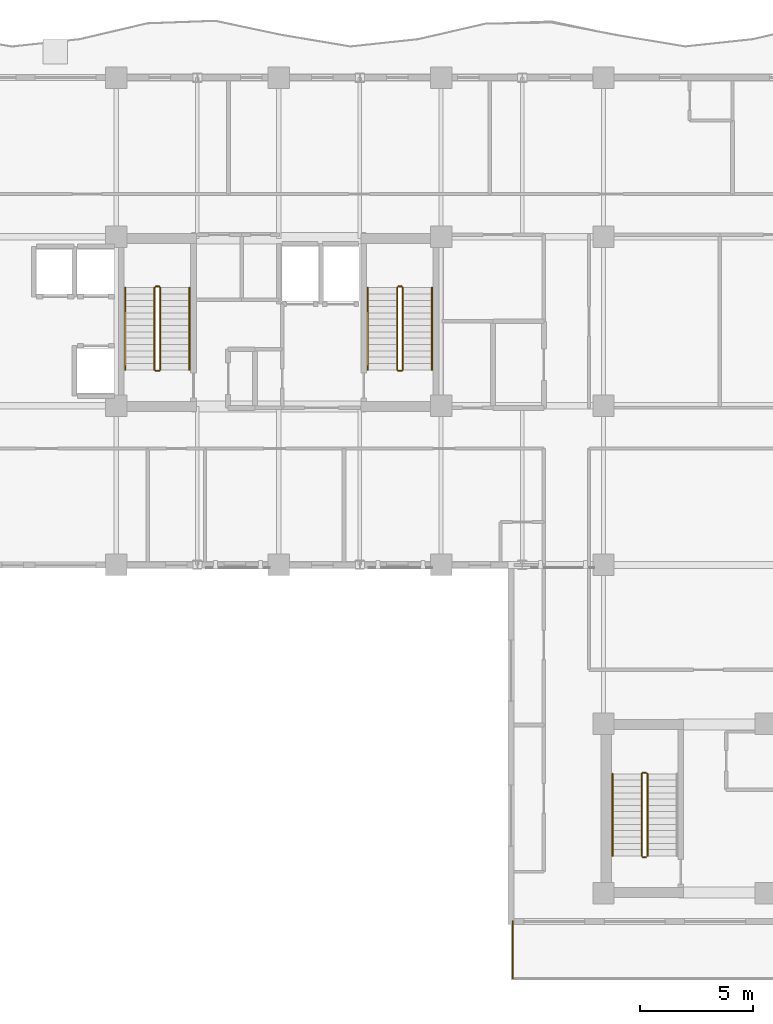
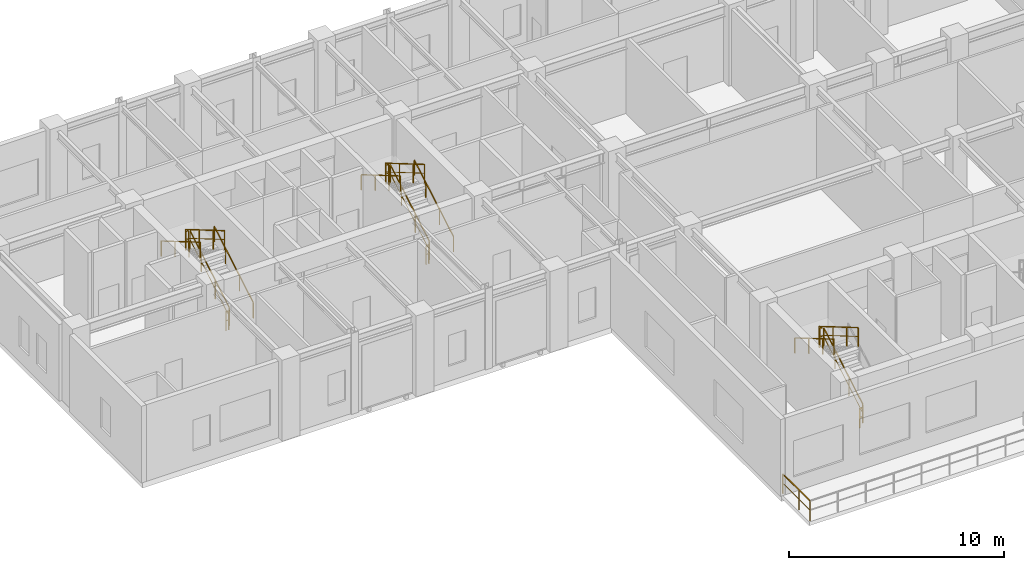
# One storey, part 12 of 14: 18 railings.
"""IFC4 building model written with IfcOpenShell, lengths in metres."""

from ifc_helpers import new_model, si_unit, direction, frame, origin, origin_2d, place, context, subcontext, project, spatial, rectangle, extrude, material, type_object, element, save


model = new_model("IFC4")

# Units and contexts
model_context = context("Model", 3, precision=1e-05, world=origin(), true_north=direction((0.0, 1.0)))
body_context = subcontext(model_context, "Body", "Model", "MODEL_VIEW")
ifc_project = project(units=[si_unit("LENGTHUNIT", "METRE"), si_unit("AREAUNIT", "SQUARE_METRE"), si_unit("VOLUMEUNIT", "CUBIC_METRE"), si_unit("PLANEANGLEUNIT", "RADIAN"), si_unit("MASSUNIT", "GRAM", prefix="KILO")], contexts=[model_context])

# Site, building, storey
site_placement = place(None, origin())
site = spatial("IfcSite", under=ifc_project, at=site_placement, CompositionType="ELEMENT")
building_placement = place(site_placement, origin())
building = spatial("IfcBuilding", under=site, at=building_placement, Name="Kaliganga Portal Commons", CompositionType="ELEMENT")
storey_placement = place(building_placement, frame((0.0, 0.0, 197.199951171875)))
storey = spatial("IfcBuildingStorey", under=building, at=storey_placement, Name="L50", CompositionType="ELEMENT", Elevation=197.199951171875)

# Railings
ifc_material_1 = material(Name="Laminated Safety Glass and Stainless Steel 316", Category="steel")
railing_type_1 = type_object("IfcRailingType", Name="RLG-BAL-1150", PredefinedType="BALUSTRADE", material=ifc_material_1)
railing_1_placement = place(storey_placement, frame((31.97998046875, 5.800048828125, 0.0)))
element("IfcRailing", 1, at=railing_1_placement, inside=storey, type_object=railing_type_1, Name="Terrace Guardrail L50 skygarden_l50-01-1", PredefinedType="BALUSTRADE", context=body_context, shape_type="SweptSolid", body=[
    extrude(rectangle(XDim=0.048095703125, YDim=0.048095703125, at=origin_2d()), frame((0.0, 0.0, 1.1259765625), z_axis=(0.0, -1.0, 0.0), x_axis=(1.0, 0.0, 0.0)), (0.0, 0.0, 1.0), 2.52001953125),
    extrude(rectangle(XDim=0.028076171875, YDim=0.028076171875, at=origin_2d()), frame((0.0, 0.0, 0.597900390625), z_axis=(0.0, -1.0, 0.0), x_axis=(1.0, 0.0, 0.0)), (0.0, 0.0, 1.0), 2.52001953125),
    extrude(rectangle(XDim=0.0419921875, YDim=0.0419921875, at=origin_2d()), origin(), (0.0, 0.0, 1.0), 1.101806640625),
    extrude(rectangle(XDim=0.0419921875, YDim=0.0419921875, at=origin_2d()), frame((0.0, -1.5, 0.0)), (0.0, 0.0, 1.0), 1.101806640625),
    extrude(rectangle(XDim=0.0419921875, YDim=0.0419921875, at=origin_2d()), frame((0.0, -2.52001953125, 0.0)), (0.0, 0.0, 1.0), 1.101806640625),
])
ifc_material_2 = material(Name="Galvanized Painted Steel Balustrade", Category="steel")
railing_type_2 = type_object("IfcRailingType", Name="RLG-STAIR-GRD", PredefinedType="GUARDRAIL", material=ifc_material_2)
railing_2_placement = place(storey_placement, frame((16.35009765625, 30.25, 0.164306640625)))
element("IfcRailing", 2, at=railing_2_placement, inside=storey, type_object=railing_type_2, Name="L50 ST-A1 stair guard 1", PredefinedType="GUARDRAIL", context=body_context, shape_type="SweptSolid", body=[
    extrude(rectangle(XDim=0.048095703125, YDim=0.048095703125, at=origin_2d()), frame((0.0, 0.0, 1.072265625), z_axis=(0.0, 0.862489892076, 0.506074289079), x_axis=(-1.0, 0.0, 0.0)), (0.0, 0.0, 1.0), 4.22021484375),
    extrude(rectangle(XDim=0.028076171875, YDim=0.028076171875, at=origin_2d()), frame((0.0, 0.0, 0.572021484375), z_axis=(0.0, 0.862489892076, 0.506074289079), x_axis=(-1.0, 0.0, 0.0)), (0.0, 0.0, 1.0), 4.22021484375),
    extrude(rectangle(XDim=0.0419921875, YDim=0.0419921875, at=origin_2d()), origin(), (0.0, 0.0, 1.0), 1.052001953125),
    extrude(rectangle(XDim=0.0419921875, YDim=0.0419921875, at=origin_2d()), frame((0.0, 1.293701171875, 0.759033203125)), (0.0, 0.0, 1.0), 1.052001953125),
    extrude(rectangle(XDim=0.0419921875, YDim=0.0419921875, at=origin_2d()), frame((0.0, 2.58740234375, 1.518310546875)), (0.0, 0.0, 1.0), 1.052001953125),
    extrude(rectangle(XDim=0.0419921875, YDim=0.0419921875, at=origin_2d()), frame((0.0, 3.639892578125, 2.1357421875)), (0.0, 0.0, 1.0), 1.052001953125),
])
railing_3_placement = place(storey_placement, frame((16.300048828125, 33.93994140625, 2.300048828125)))
element("IfcRailing", 3, at=railing_3_placement, inside=storey, type_object=railing_type_2, Name="L50 ST-A1 stair guard 2", PredefinedType="GUARDRAIL", context=body_context, shape_type="SweptSolid", body=[
    extrude(rectangle(XDim=0.048095703125, YDim=0.048095703125, at=origin_2d()), frame((0.0, 0.0, 1.076171875), z_axis=(-1.0, 0.0, 0.0), x_axis=(0.0, -1.0, 0.0)), (0.0, 0.0, 1.0), 0.150146484375),
    extrude(rectangle(XDim=0.028076171875, YDim=0.028076171875, at=origin_2d()), frame((0.0, 0.0, 0.572021484375), z_axis=(-1.0, 0.0, 0.0), x_axis=(0.0, -1.0, 0.0)), (0.0, 0.0, 1.0), 0.150146484375),
    extrude(rectangle(XDim=0.0419921875, YDim=0.0419921875, at=origin_2d()), origin(), (0.0, 0.0, 1.0), 1.052001953125),
    extrude(rectangle(XDim=0.0419921875, YDim=0.0419921875, at=origin_2d()), frame((-0.150146484375, 0.0, 0.0)), (0.0, 0.0, 1.0), 1.052001953125),
])
railing_4_placement = place(storey_placement, frame((16.10009765625, 33.889892578125, 2.46435546875)))
element("IfcRailing", 4, at=railing_4_placement, inside=storey, type_object=railing_type_2, Name="L50 ST-A1 stair guard 3", PredefinedType="GUARDRAIL", context=body_context, shape_type="SweptSolid", body=[
    extrude(rectangle(XDim=0.048095703125, YDim=0.048095703125, at=origin_2d()), frame((0.0, 0.0, 1.072265625), z_axis=(0.0, -0.862489892076, 0.506074289079), x_axis=(1.0, 0.0, 0.0)), (0.0, 0.0, 1.0), 4.22021484375),
    extrude(rectangle(XDim=0.028076171875, YDim=0.028076171875, at=origin_2d()), frame((0.0, 0.0, 0.572021484375), z_axis=(0.0, -0.862489892076, 0.506074289079), x_axis=(1.0, 0.0, 0.0)), (0.0, 0.0, 1.0), 4.22021484375),
    extrude(rectangle(XDim=0.0419921875, YDim=0.0419921875, at=origin_2d()), origin(), (0.0, 0.0, 1.0), 1.052001953125),
    extrude(rectangle(XDim=0.0419921875, YDim=0.0419921875, at=origin_2d()), frame((0.0, -1.293701171875, 0.759033203125)), (0.0, 0.0, 1.0), 1.052001953125),
    extrude(rectangle(XDim=0.0419921875, YDim=0.0419921875, at=origin_2d()), frame((0.0, -2.58740234375, 1.518310546875)), (0.0, 0.0, 1.0), 1.052001953125),
    extrude(rectangle(XDim=0.0419921875, YDim=0.0419921875, at=origin_2d()), frame((0.0, -3.639892578125, 2.1357421875)), (0.0, 0.0, 1.0), 1.052001953125),
])
railing_5_placement = place(storey_placement, frame((16.300048828125, 30.199951171875, 0.0)))
element("IfcRailing", 5, at=railing_5_placement, inside=storey, type_object=railing_type_2, Name="L50 ST-A1 stair guard 4", PredefinedType="GUARDRAIL", context=body_context, shape_type="SweptSolid", body=[
    extrude(rectangle(XDim=0.048095703125, YDim=0.048095703125, at=origin_2d()), frame((0.0, 0.0, 1.076171875), z_axis=(-1.0, 0.0, 0.0), x_axis=(0.0, -1.0, 0.0)), (0.0, 0.0, 1.0), 0.150146484375),
    extrude(rectangle(XDim=0.028076171875, YDim=0.028076171875, at=origin_2d()), frame((0.0, 0.0, 0.572021484375), z_axis=(-1.0, 0.0, 0.0), x_axis=(0.0, -1.0, 0.0)), (0.0, 0.0, 1.0), 0.150146484375),
    extrude(rectangle(XDim=0.0419921875, YDim=0.0419921875, at=origin_2d()), origin(), (0.0, 0.0, 1.0), 1.052001953125),
    extrude(rectangle(XDim=0.0419921875, YDim=0.0419921875, at=origin_2d()), frame((-0.150146484375, 0.0, 0.0)), (0.0, 0.0, 1.0), 1.052001953125),
])
railing_6_placement = place(storey_placement, frame((27.10009765625, 30.25, 0.164306640625)))
element("IfcRailing", 6, at=railing_6_placement, inside=storey, type_object=railing_type_2, Name="L50 ST-A2 stair guard 1", PredefinedType="GUARDRAIL", context=body_context, shape_type="SweptSolid", body=[
    extrude(rectangle(XDim=0.048095703125, YDim=0.048095703125, at=origin_2d()), frame((0.0, 0.0, 1.072265625), z_axis=(0.0, 0.862489892076, 0.506074289079), x_axis=(-1.0, 0.0, 0.0)), (0.0, 0.0, 1.0), 4.22021484375),
    extrude(rectangle(XDim=0.028076171875, YDim=0.028076171875, at=origin_2d()), frame((0.0, 0.0, 0.572021484375), z_axis=(0.0, 0.862489892076, 0.506074289079), x_axis=(-1.0, 0.0, 0.0)), (0.0, 0.0, 1.0), 4.22021484375),
    extrude(rectangle(XDim=0.0419921875, YDim=0.0419921875, at=origin_2d()), origin(), (0.0, 0.0, 1.0), 1.052001953125),
    extrude(rectangle(XDim=0.0419921875, YDim=0.0419921875, at=origin_2d()), frame((0.0, 1.293701171875, 0.759033203125)), (0.0, 0.0, 1.0), 1.052001953125),
    extrude(rectangle(XDim=0.0419921875, YDim=0.0419921875, at=origin_2d()), frame((0.0, 2.58740234375, 1.518310546875)), (0.0, 0.0, 1.0), 1.052001953125),
    extrude(rectangle(XDim=0.0419921875, YDim=0.0419921875, at=origin_2d()), frame((0.0, 3.639892578125, 2.1357421875)), (0.0, 0.0, 1.0), 1.052001953125),
])
railing_7_placement = place(storey_placement, frame((27.050048828125, 33.93994140625, 2.300048828125)))
element("IfcRailing", 7, at=railing_7_placement, inside=storey, type_object=railing_type_2, Name="L50 ST-A2 stair guard 2", PredefinedType="GUARDRAIL", context=body_context, shape_type="SweptSolid", body=[
    extrude(rectangle(XDim=0.048095703125, YDim=0.048095703125, at=origin_2d()), frame((0.0, 0.0, 1.076171875), z_axis=(-1.0, 0.0, 0.0), x_axis=(0.0, -1.0, 0.0)), (0.0, 0.0, 1.0), 0.150146484375),
    extrude(rectangle(XDim=0.028076171875, YDim=0.028076171875, at=origin_2d()), frame((0.0, 0.0, 0.572021484375), z_axis=(-1.0, 0.0, 0.0), x_axis=(0.0, -1.0, 0.0)), (0.0, 0.0, 1.0), 0.150146484375),
    extrude(rectangle(XDim=0.0419921875, YDim=0.0419921875, at=origin_2d()), origin(), (0.0, 0.0, 1.0), 1.052001953125),
    extrude(rectangle(XDim=0.0419921875, YDim=0.0419921875, at=origin_2d()), frame((-0.150146484375, 0.0, 0.0)), (0.0, 0.0, 1.0), 1.052001953125),
])
railing_8_placement = place(storey_placement, frame((26.85009765625, 33.889892578125, 2.46435546875)))
element("IfcRailing", 8, at=railing_8_placement, inside=storey, type_object=railing_type_2, Name="L50 ST-A2 stair guard 3", PredefinedType="GUARDRAIL", context=body_context, shape_type="SweptSolid", body=[
    extrude(rectangle(XDim=0.048095703125, YDim=0.048095703125, at=origin_2d()), frame((0.0, 0.0, 1.072265625), z_axis=(0.0, -0.862489892076, 0.506074289079), x_axis=(1.0, 0.0, 0.0)), (0.0, 0.0, 1.0), 4.22021484375),
    extrude(rectangle(XDim=0.028076171875, YDim=0.028076171875, at=origin_2d()), frame((0.0, 0.0, 0.572021484375), z_axis=(0.0, -0.862489892076, 0.506074289079), x_axis=(1.0, 0.0, 0.0)), (0.0, 0.0, 1.0), 4.22021484375),
    extrude(rectangle(XDim=0.0419921875, YDim=0.0419921875, at=origin_2d()), origin(), (0.0, 0.0, 1.0), 1.052001953125),
    extrude(rectangle(XDim=0.0419921875, YDim=0.0419921875, at=origin_2d()), frame((0.0, -1.293701171875, 0.759033203125)), (0.0, 0.0, 1.0), 1.052001953125),
    extrude(rectangle(XDim=0.0419921875, YDim=0.0419921875, at=origin_2d()), frame((0.0, -2.58740234375, 1.518310546875)), (0.0, 0.0, 1.0), 1.052001953125),
    extrude(rectangle(XDim=0.0419921875, YDim=0.0419921875, at=origin_2d()), frame((0.0, -3.639892578125, 2.1357421875)), (0.0, 0.0, 1.0), 1.052001953125),
])
railing_9_placement = place(storey_placement, frame((27.050048828125, 30.199951171875, 0.0)))
element("IfcRailing", 9, at=railing_9_placement, inside=storey, type_object=railing_type_2, Name="L50 ST-A2 stair guard 4", PredefinedType="GUARDRAIL", context=body_context, shape_type="SweptSolid", body=[
    extrude(rectangle(XDim=0.048095703125, YDim=0.048095703125, at=origin_2d()), frame((0.0, 0.0, 1.076171875), z_axis=(-1.0, 0.0, 0.0), x_axis=(0.0, -1.0, 0.0)), (0.0, 0.0, 1.0), 0.150146484375),
    extrude(rectangle(XDim=0.028076171875, YDim=0.028076171875, at=origin_2d()), frame((0.0, 0.0, 0.572021484375), z_axis=(-1.0, 0.0, 0.0), x_axis=(0.0, -1.0, 0.0)), (0.0, 0.0, 1.0), 0.150146484375),
    extrude(rectangle(XDim=0.0419921875, YDim=0.0419921875, at=origin_2d()), origin(), (0.0, 0.0, 1.0), 1.052001953125),
    extrude(rectangle(XDim=0.0419921875, YDim=0.0419921875, at=origin_2d()), frame((-0.150146484375, 0.0, 0.0)), (0.0, 0.0, 1.0), 1.052001953125),
])
railing_10_placement = place(storey_placement, frame((37.949951171875, 8.699951171875, 0.164306640625)))
element("IfcRailing", 10, at=railing_10_placement, inside=storey, type_object=railing_type_2, Name="L50 ST-B1 stair guard 1", PredefinedType="GUARDRAIL", context=body_context, shape_type="SweptSolid", body=[
    extrude(rectangle(XDim=0.048095703125, YDim=0.048095703125, at=origin_2d()), frame((0.0, 0.0, 1.072265625), z_axis=(0.0, 0.862504707072, 0.506049039401), x_axis=(-1.0, 0.0, 0.0)), (0.0, 0.0, 1.0), 4.220458984375),
    extrude(rectangle(XDim=0.028076171875, YDim=0.028076171875, at=origin_2d()), frame((0.0, 0.0, 0.572021484375), z_axis=(0.0, 0.862504707072, 0.506049039401), x_axis=(-1.0, 0.0, 0.0)), (0.0, 0.0, 1.0), 4.220458984375),
    extrude(rectangle(XDim=0.0419921875, YDim=0.0419921875, at=origin_2d()), origin(), (0.0, 0.0, 1.0), 1.052001953125),
    extrude(rectangle(XDim=0.0419921875, YDim=0.0419921875, at=origin_2d()), frame((0.0, 1.293701171875, 0.759033203125)), (0.0, 0.0, 1.0), 1.052001953125),
    extrude(rectangle(XDim=0.0419921875, YDim=0.0419921875, at=origin_2d()), frame((0.0, 2.58740234375, 1.51806640625)), (0.0, 0.0, 1.0), 1.052001953125),
    extrude(rectangle(XDim=0.0419921875, YDim=0.0419921875, at=origin_2d()), frame((0.0, 3.64013671875, 2.1357421875)), (0.0, 0.0, 1.0), 1.052001953125),
])
railing_11_placement = place(storey_placement, frame((37.89990234375, 12.389892578125, 2.300048828125)))
element("IfcRailing", 11, at=railing_11_placement, inside=storey, type_object=railing_type_2, Name="L50 ST-B1 stair guard 2", PredefinedType="GUARDRAIL", context=body_context, shape_type="SweptSolid", body=[
    extrude(rectangle(XDim=0.048095703125, YDim=0.048095703125, at=origin_2d()), frame((0.0, 0.0, 1.076171875), z_axis=(-1.0, 0.0, 0.0), x_axis=(0.0, -1.0, 0.0)), (0.0, 0.0, 1.0), 0.14990234375),
    extrude(rectangle(XDim=0.028076171875, YDim=0.028076171875, at=origin_2d()), frame((0.0, 0.0, 0.572021484375), z_axis=(-1.0, 0.0, 0.0), x_axis=(0.0, -1.0, 0.0)), (0.0, 0.0, 1.0), 0.14990234375),
    extrude(rectangle(XDim=0.0419921875, YDim=0.0419921875, at=origin_2d()), frame((-0.14990234375, 0.0, 0.0)), (0.0, 0.0, 1.0), 1.052001953125),
])
railing_12_placement = place(storey_placement, frame((37.699951171875, 12.340087890625, 2.46435546875)))
element("IfcRailing", 12, at=railing_12_placement, inside=storey, type_object=railing_type_2, Name="L50 ST-B1 stair guard 3", PredefinedType="GUARDRAIL", context=body_context, shape_type="SweptSolid", body=[
    extrude(rectangle(XDim=0.048095703125, YDim=0.048095703125, at=origin_2d()), frame((0.0, 0.0, 1.072265625), z_axis=(0.0, -0.862504707072, 0.506049039401), x_axis=(1.0, 0.0, 0.0)), (0.0, 0.0, 1.0), 4.220458984375),
    extrude(rectangle(XDim=0.028076171875, YDim=0.028076171875, at=origin_2d()), frame((0.0, 0.0, 0.572021484375), z_axis=(0.0, -0.862504707072, 0.506049039401), x_axis=(1.0, 0.0, 0.0)), (0.0, 0.0, 1.0), 4.220458984375),
    extrude(rectangle(XDim=0.0419921875, YDim=0.0419921875, at=origin_2d()), origin(), (0.0, 0.0, 1.0), 1.052001953125),
    extrude(rectangle(XDim=0.0419921875, YDim=0.0419921875, at=origin_2d()), frame((0.0, -1.293701171875, 0.759033203125)), (0.0, 0.0, 1.0), 1.052001953125),
    extrude(rectangle(XDim=0.0419921875, YDim=0.0419921875, at=origin_2d()), frame((0.0, -2.58740234375, 1.51806640625)), (0.0, 0.0, 1.0), 1.052001953125),
    extrude(rectangle(XDim=0.0419921875, YDim=0.0419921875, at=origin_2d()), frame((0.0, -3.64013671875, 2.1357421875)), (0.0, 0.0, 1.0), 1.052001953125),
])
railing_13_placement = place(storey_placement, frame((37.89990234375, 8.64990234375, 0.0)))
element("IfcRailing", 13, at=railing_13_placement, inside=storey, type_object=railing_type_2, Name="L50 ST-B1 stair guard 4", PredefinedType="GUARDRAIL", context=body_context, shape_type="SweptSolid", body=[
    extrude(rectangle(XDim=0.048095703125, YDim=0.048095703125, at=origin_2d()), frame((0.0, 0.0, 1.076171875), z_axis=(-1.0, 0.0, 0.0), x_axis=(0.0, -1.0, 0.0)), (0.0, 0.0, 1.0), 0.14990234375),
    extrude(rectangle(XDim=0.028076171875, YDim=0.028076171875, at=origin_2d()), frame((0.0, 0.0, 0.572021484375), z_axis=(-1.0, 0.0, 0.0), x_axis=(0.0, -1.0, 0.0)), (0.0, 0.0, 1.0), 0.14990234375),
    extrude(rectangle(XDim=0.0419921875, YDim=0.0419921875, at=origin_2d()), frame((-0.14990234375, 0.0, 0.0)), (0.0, 0.0, 1.0), 1.052001953125),
])
ifc_material_3 = material(Name="Brushed Stainless Steel 316", Category="steel")
railing_type_3 = type_object("IfcRailingType", Name="RLG-STAIR-HR", PredefinedType="HANDRAIL", material=ifc_material_3)
railing_14_placement = place(storey_placement, frame((17.64990234375, 30.25, 0.164306640625)))
element("IfcRailing", 14, at=railing_14_placement, inside=storey, type_object=railing_type_3, Name="L50 ST-A1 stair handrail 1", PredefinedType="HANDRAIL", context=body_context, shape_type="SweptSolid", body=[
    extrude(rectangle(XDim=0.048095703125, YDim=0.048095703125, at=origin_2d()), frame((0.0, 0.0, 0.8720703125), z_axis=(0.0, 0.862489892076, 0.506074289079), x_axis=(-1.0, 0.0, 0.0)), (0.0, 0.0, 1.0), 4.22021484375),
    extrude(rectangle(XDim=0.0419921875, YDim=0.0419921875, at=origin_2d()), origin(), (0.0, 0.0, 1.0), 0.851806640625),
    extrude(rectangle(XDim=0.0419921875, YDim=0.0419921875, at=origin_2d()), frame((0.0, 1.293701171875, 0.759033203125)), (0.0, 0.0, 1.0), 0.851806640625),
    extrude(rectangle(XDim=0.0419921875, YDim=0.0419921875, at=origin_2d()), frame((0.0, 2.58740234375, 1.518310546875)), (0.0, 0.0, 1.0), 0.851806640625),
    extrude(rectangle(XDim=0.0419921875, YDim=0.0419921875, at=origin_2d()), frame((0.0, 3.639892578125, 2.1357421875)), (0.0, 0.0, 1.0), 0.851806640625),
])
railing_15_placement = place(storey_placement, frame((14.800048828125, 33.889892578125, 2.46435546875)))
element("IfcRailing", 15, at=railing_15_placement, inside=storey, type_object=railing_type_3, Name="L50 ST-A1 stair handrail 2", PredefinedType="HANDRAIL", context=body_context, shape_type="SweptSolid", body=[
    extrude(rectangle(XDim=0.048095703125, YDim=0.048095703125, at=origin_2d()), frame((0.0, 0.0, 0.8720703125), z_axis=(0.0, -0.862489892076, 0.506074289079), x_axis=(1.0, 0.0, 0.0)), (0.0, 0.0, 1.0), 4.22021484375),
    extrude(rectangle(XDim=0.0419921875, YDim=0.0419921875, at=origin_2d()), origin(), (0.0, 0.0, 1.0), 0.851806640625),
    extrude(rectangle(XDim=0.0419921875, YDim=0.0419921875, at=origin_2d()), frame((0.0, -1.293701171875, 0.759033203125)), (0.0, 0.0, 1.0), 0.851806640625),
    extrude(rectangle(XDim=0.0419921875, YDim=0.0419921875, at=origin_2d()), frame((0.0, -2.58740234375, 1.518310546875)), (0.0, 0.0, 1.0), 0.851806640625),
    extrude(rectangle(XDim=0.0419921875, YDim=0.0419921875, at=origin_2d()), frame((0.0, -3.639892578125, 2.1357421875)), (0.0, 0.0, 1.0), 0.851806640625),
])
railing_16_placement = place(storey_placement, frame((28.39990234375, 30.25, 0.164306640625)))
element("IfcRailing", 16, at=railing_16_placement, inside=storey, type_object=railing_type_3, Name="L50 ST-A2 stair handrail 1", PredefinedType="HANDRAIL", context=body_context, shape_type="SweptSolid", body=[
    extrude(rectangle(XDim=0.048095703125, YDim=0.048095703125, at=origin_2d()), frame((0.0, 0.0, 0.8720703125), z_axis=(0.0, 0.862489892076, 0.506074289079), x_axis=(-1.0, 0.0, 0.0)), (0.0, 0.0, 1.0), 4.22021484375),
    extrude(rectangle(XDim=0.0419921875, YDim=0.0419921875, at=origin_2d()), origin(), (0.0, 0.0, 1.0), 0.851806640625),
    extrude(rectangle(XDim=0.0419921875, YDim=0.0419921875, at=origin_2d()), frame((0.0, 1.293701171875, 0.759033203125)), (0.0, 0.0, 1.0), 0.851806640625),
    extrude(rectangle(XDim=0.0419921875, YDim=0.0419921875, at=origin_2d()), frame((0.0, 2.58740234375, 1.518310546875)), (0.0, 0.0, 1.0), 0.851806640625),
    extrude(rectangle(XDim=0.0419921875, YDim=0.0419921875, at=origin_2d()), frame((0.0, 3.639892578125, 2.1357421875)), (0.0, 0.0, 1.0), 0.851806640625),
])
railing_17_placement = place(storey_placement, frame((25.550048828125, 33.889892578125, 2.46435546875)))
element("IfcRailing", 17, at=railing_17_placement, inside=storey, type_object=railing_type_3, Name="L50 ST-A2 stair handrail 2", PredefinedType="HANDRAIL", context=body_context, shape_type="SweptSolid", body=[
    extrude(rectangle(XDim=0.048095703125, YDim=0.048095703125, at=origin_2d()), frame((0.0, 0.0, 0.8720703125), z_axis=(0.0, -0.862489892076, 0.506074289079), x_axis=(1.0, 0.0, 0.0)), (0.0, 0.0, 1.0), 4.22021484375),
    extrude(rectangle(XDim=0.0419921875, YDim=0.0419921875, at=origin_2d()), origin(), (0.0, 0.0, 1.0), 0.851806640625),
    extrude(rectangle(XDim=0.0419921875, YDim=0.0419921875, at=origin_2d()), frame((0.0, -1.293701171875, 0.759033203125)), (0.0, 0.0, 1.0), 0.851806640625),
    extrude(rectangle(XDim=0.0419921875, YDim=0.0419921875, at=origin_2d()), frame((0.0, -2.58740234375, 1.518310546875)), (0.0, 0.0, 1.0), 0.851806640625),
    extrude(rectangle(XDim=0.0419921875, YDim=0.0419921875, at=origin_2d()), frame((0.0, -3.639892578125, 2.1357421875)), (0.0, 0.0, 1.0), 0.851806640625),
])
railing_18_placement = place(storey_placement, frame((36.39990234375, 12.340087890625, 2.46435546875)))
element("IfcRailing", 18, at=railing_18_placement, inside=storey, type_object=railing_type_3, Name="L50 ST-B1 stair handrail 2", PredefinedType="HANDRAIL", context=body_context, shape_type="SweptSolid", body=[
    extrude(rectangle(XDim=0.048095703125, YDim=0.048095703125, at=origin_2d()), frame((0.0, 0.0, 0.8720703125), z_axis=(0.0, -0.862504707072, 0.506049039401), x_axis=(1.0, 0.0, 0.0)), (0.0, 0.0, 1.0), 4.220458984375),
    extrude(rectangle(XDim=0.0419921875, YDim=0.0419921875, at=origin_2d()), origin(), (0.0, 0.0, 1.0), 0.851806640625),
    extrude(rectangle(XDim=0.0419921875, YDim=0.0419921875, at=origin_2d()), frame((0.0, -1.293701171875, 0.759033203125)), (0.0, 0.0, 1.0), 0.851806640625),
    extrude(rectangle(XDim=0.0419921875, YDim=0.0419921875, at=origin_2d()), frame((0.0, -2.58740234375, 1.51806640625)), (0.0, 0.0, 1.0), 0.851806640625),
    extrude(rectangle(XDim=0.0419921875, YDim=0.0419921875, at=origin_2d()), frame((0.0, -3.64013671875, 2.1357421875)), (0.0, 0.0, 1.0), 0.851806640625),
])

save(model, "model.ifc")
